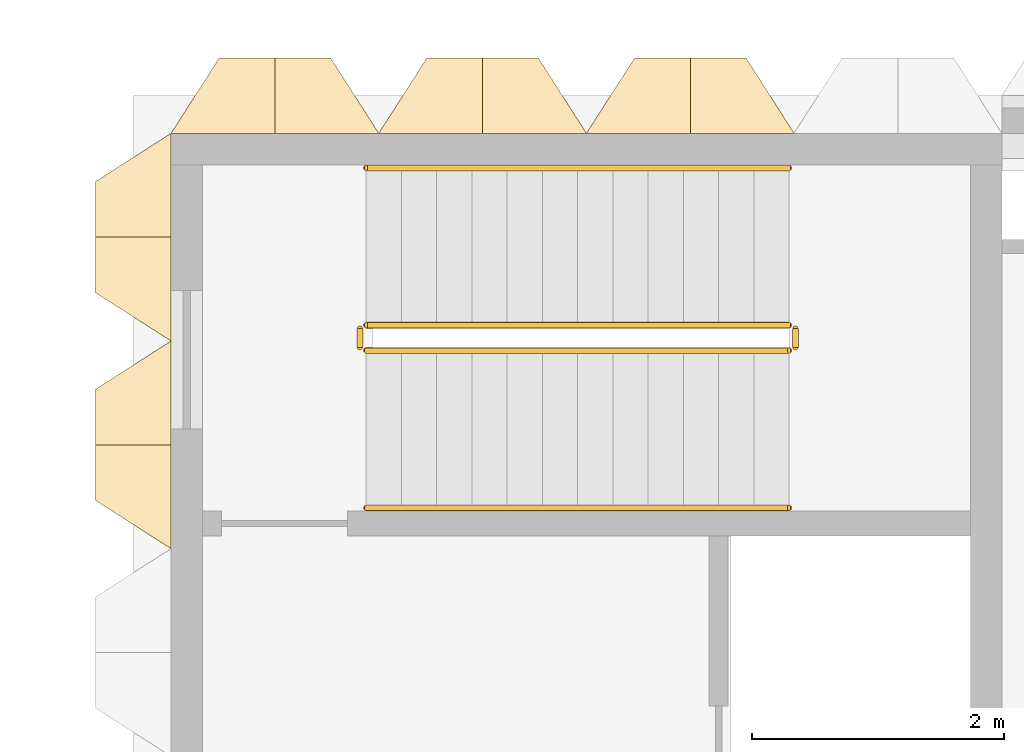
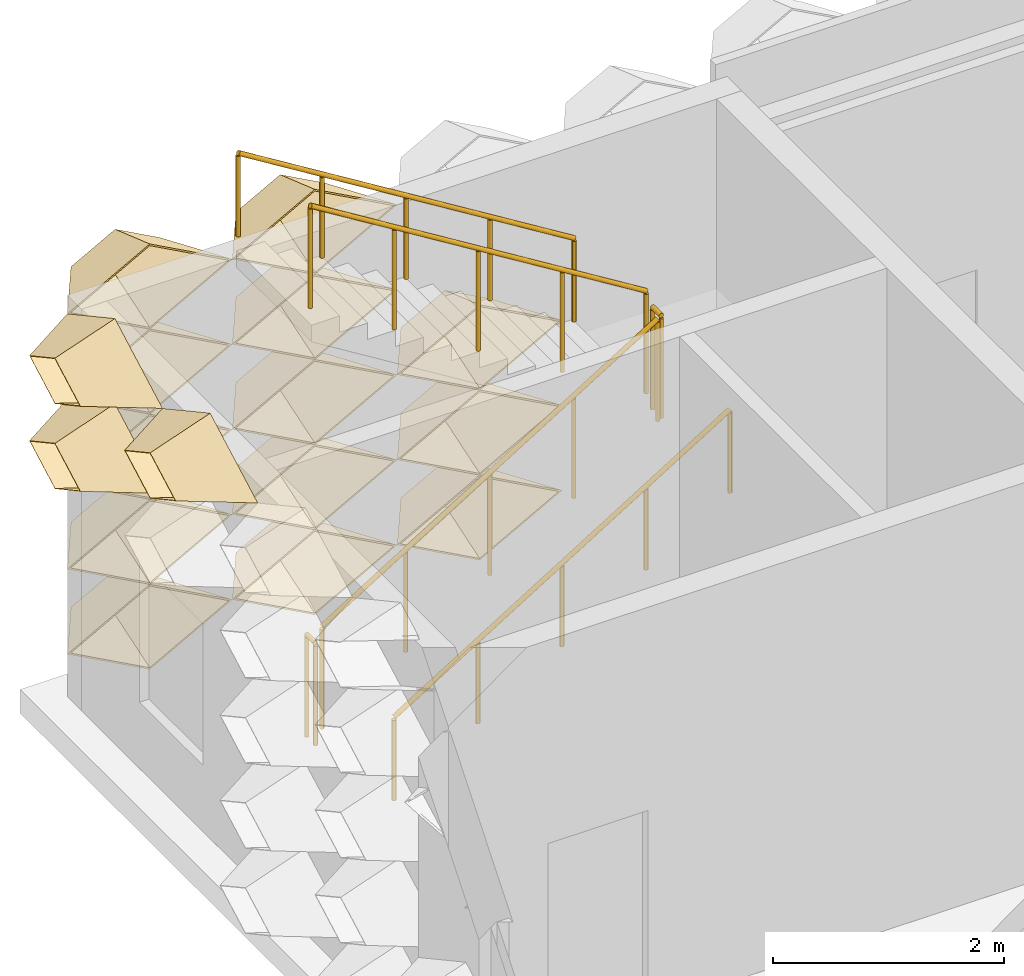
# One storey, part 90 of 109: 16 coverings, 6 railings.
"""IFC4 building model written with IfcOpenShell, lengths in metres."""

from ifc_helpers import new_model, entity, si_unit, direction, frame, origin, origin_2d, place, context, subcontext, project, spatial, circle, extrude, material, layer, layer_set, type_object, element, save


model = new_model("IFC4")

# Units and contexts
model_context = context("Model", 3, precision=1e-05, world=origin(), true_north=direction((0.0, 1.0)))
body_context = subcontext(model_context, "Body", "Model", "MODEL_VIEW")
ifc_project = project(units=[si_unit("LENGTHUNIT", "METRE"), si_unit("AREAUNIT", "SQUARE_METRE"), si_unit("VOLUMEUNIT", "CUBIC_METRE"), si_unit("PLANEANGLEUNIT", "RADIAN"), si_unit("MASSUNIT", "GRAM", prefix="KILO")], contexts=[model_context])

# Site, building, storey
site_placement = place(None, origin())
site = spatial("IfcSite", under=ifc_project, at=site_placement, CompositionType="ELEMENT")
building_placement = place(site_placement, origin())
building = spatial("IfcBuilding", under=site, at=building_placement, Name="Lantern Court Research Institute", CompositionType="ELEMENT")
storey_placement = place(building_placement, frame((0.0, 0.0, 14.39990234375)))
storey = spatial("IfcBuildingStorey", under=building, at=storey_placement, Name="L03", CompositionType="ELEMENT", Elevation=14.39990234375)

# Coverings
ifc_material_1 = material(Name="Anodised aluminium", Category="aluminium")
ifc_layer = layer(ifc_material_1, 0.01611328125)
ifc_layer_set = layer_set([ifc_layer], Name="Anodised aluminium")
covering_type = type_object("IfcCoveringType", Name="Fin cassette 1650 x 900 x 600 aluminium", PredefinedType="CLADDING", material=ifc_layer_set)
covering_1_placement = place(storey_placement, frame((0.824951171875, 99.0, 0.4501953125), z_axis=(0.0, 1.0, 0.0), x_axis=(-1.0, 0.0, 0.0)))
cartesian_point_1 = entity("IfcCartesianPoint", [0.824951171875, 0.0])
cartesian_point_2 = entity("IfcCartesianPoint", [0.79150390625, 0.0])
cartesian_point_3 = entity("IfcCartesianPoint", [0.44189453125, 0.0])
cartesian_point_4 = entity("IfcCartesianPoint", [0.43359375, 0.0])
element("IfcCovering", 1, at=covering_1_placement, inside=storey, type_object=covering_type, Name="Fin cassette V6N-L03 1.1", PredefinedType="CLADDING", context=body_context, shape_type="SweptSolid", body=[
    entity("IfcExtrudedAreaSolidTapered", entity("IfcArbitraryProfileDefWithVoids", "AREA", None, entity("IfcPolyline", [cartesian_point_1, entity("IfcCartesianPoint", [0.0, 0.449951171875]), entity("IfcCartesianPoint", [-0.824951171875, 0.0]), entity("IfcCartesianPoint", [0.0, -0.449951171875]), cartesian_point_1]), [entity("IfcPolyline", [cartesian_point_2, entity("IfcCartesianPoint", [0.0, 0.431884765625]), entity("IfcCartesianPoint", [-0.79150390625, 0.0]), entity("IfcCartesianPoint", [0.0, -0.431884765625]), cartesian_point_2])]), entity("IfcAxis2Placement3D", entity("IfcCartesianPoint", [0.0, 0.0, 0.0])), entity("IfcDirection", [0.0, 0.0, 1.0]), 0.60009765625, entity("IfcArbitraryProfileDefWithVoids", "AREA", None, entity("IfcPolyline", [cartesian_point_3, entity("IfcCartesianPoint", [0.0, 0.240966796875]), entity("IfcCartesianPoint", [-0.44189453125, 0.0]), entity("IfcCartesianPoint", [0.0, -0.240966796875]), cartesian_point_3]), [entity("IfcPolyline", [cartesian_point_4, entity("IfcCartesianPoint", [0.0, 0.236572265625]), entity("IfcCartesianPoint", [-0.43359375, 0.0]), entity("IfcCartesianPoint", [0.0, -0.236572265625]), cartesian_point_4])])),
])
covering_2_placement = place(storey_placement, frame((2.47509765625, 99.0, 0.4501953125), z_axis=(0.0, 1.0, 0.0), x_axis=(-1.0, 0.0, 0.0)))
cartesian_point_5 = entity("IfcCartesianPoint", [0.824951171875, 0.0])
cartesian_point_6 = entity("IfcCartesianPoint", [0.79150390625, 0.0])
cartesian_point_7 = entity("IfcCartesianPoint", [0.44189453125, 0.0])
cartesian_point_8 = entity("IfcCartesianPoint", [0.43359375, 0.0])
element("IfcCovering", 2, at=covering_2_placement, inside=storey, type_object=covering_type, Name="Fin cassette V6N-L03 1.2", PredefinedType="CLADDING", context=body_context, shape_type="SweptSolid", body=[
    entity("IfcExtrudedAreaSolidTapered", entity("IfcArbitraryProfileDefWithVoids", "AREA", None, entity("IfcPolyline", [cartesian_point_5, entity("IfcCartesianPoint", [0.0, 0.449951171875]), entity("IfcCartesianPoint", [-0.824951171875, 0.0]), entity("IfcCartesianPoint", [0.0, -0.449951171875]), cartesian_point_5]), [entity("IfcPolyline", [cartesian_point_6, entity("IfcCartesianPoint", [0.0, 0.431884765625]), entity("IfcCartesianPoint", [-0.79150390625, 0.0]), entity("IfcCartesianPoint", [0.0, -0.431884765625]), cartesian_point_6])]), entity("IfcAxis2Placement3D", entity("IfcCartesianPoint", [0.0, 0.0, 0.0])), entity("IfcDirection", [0.0, 0.0, 1.0]), 0.60009765625, entity("IfcArbitraryProfileDefWithVoids", "AREA", None, entity("IfcPolyline", [cartesian_point_7, entity("IfcCartesianPoint", [0.0, 0.240966796875]), entity("IfcCartesianPoint", [-0.44189453125, 0.0]), entity("IfcCartesianPoint", [0.0, -0.240966796875]), cartesian_point_7]), [entity("IfcPolyline", [cartesian_point_8, entity("IfcCartesianPoint", [0.0, 0.236572265625]), entity("IfcCartesianPoint", [-0.43359375, 0.0]), entity("IfcCartesianPoint", [0.0, -0.236572265625]), cartesian_point_8])])),
])
covering_3_placement = place(storey_placement, frame((4.125, 99.0, 0.4501953125), z_axis=(0.0, 1.0, 0.0), x_axis=(-1.0, 0.0, 0.0)))
cartesian_point_9 = entity("IfcCartesianPoint", [0.824951171875, 0.0])
cartesian_point_10 = entity("IfcCartesianPoint", [0.79150390625, 0.0])
cartesian_point_11 = entity("IfcCartesianPoint", [0.44189453125, 0.0])
cartesian_point_12 = entity("IfcCartesianPoint", [0.43359375, 0.0])
element("IfcCovering", 3, at=covering_3_placement, inside=storey, type_object=covering_type, Name="Fin cassette V6N-L03 1.3", PredefinedType="CLADDING", context=body_context, shape_type="SweptSolid", body=[
    entity("IfcExtrudedAreaSolidTapered", entity("IfcArbitraryProfileDefWithVoids", "AREA", None, entity("IfcPolyline", [cartesian_point_9, entity("IfcCartesianPoint", [0.0, 0.449951171875]), entity("IfcCartesianPoint", [-0.824951171875, 0.0]), entity("IfcCartesianPoint", [0.0, -0.449951171875]), cartesian_point_9]), [entity("IfcPolyline", [cartesian_point_10, entity("IfcCartesianPoint", [0.0, 0.431884765625]), entity("IfcCartesianPoint", [-0.79150390625, 0.0]), entity("IfcCartesianPoint", [0.0, -0.431884765625]), cartesian_point_10])]), entity("IfcAxis2Placement3D", entity("IfcCartesianPoint", [0.0, 0.0, 0.0])), entity("IfcDirection", [0.0, 0.0, 1.0]), 0.60009765625, entity("IfcArbitraryProfileDefWithVoids", "AREA", None, entity("IfcPolyline", [cartesian_point_11, entity("IfcCartesianPoint", [0.0, 0.240966796875]), entity("IfcCartesianPoint", [-0.44189453125, 0.0]), entity("IfcCartesianPoint", [0.0, -0.240966796875]), cartesian_point_11]), [entity("IfcPolyline", [cartesian_point_12, entity("IfcCartesianPoint", [0.0, 0.236572265625]), entity("IfcCartesianPoint", [-0.43359375, 0.0]), entity("IfcCartesianPoint", [0.0, -0.236572265625]), cartesian_point_12])])),
])
covering_4_placement = place(storey_placement, frame((0.824951171875, 99.0, 1.35009765625), z_axis=(0.0, 1.0, 0.0), x_axis=(-1.0, 0.0, 0.0)))
cartesian_point_13 = entity("IfcCartesianPoint", [0.824951171875, 0.0])
cartesian_point_14 = entity("IfcCartesianPoint", [0.79150390625, 0.0])
cartesian_point_15 = entity("IfcCartesianPoint", [0.44189453125, 0.0])
cartesian_point_16 = entity("IfcCartesianPoint", [0.43359375, 0.0])
element("IfcCovering", 4, at=covering_4_placement, inside=storey, type_object=covering_type, Name="Fin cassette V6N-L03 2.1", PredefinedType="CLADDING", context=body_context, shape_type="SweptSolid", body=[
    entity("IfcExtrudedAreaSolidTapered", entity("IfcArbitraryProfileDefWithVoids", "AREA", None, entity("IfcPolyline", [cartesian_point_13, entity("IfcCartesianPoint", [0.0, 0.449951171875]), entity("IfcCartesianPoint", [-0.824951171875, 0.0]), entity("IfcCartesianPoint", [0.0, -0.449951171875]), cartesian_point_13]), [entity("IfcPolyline", [cartesian_point_14, entity("IfcCartesianPoint", [0.0, 0.431884765625]), entity("IfcCartesianPoint", [-0.79150390625, 0.0]), entity("IfcCartesianPoint", [0.0, -0.431884765625]), cartesian_point_14])]), entity("IfcAxis2Placement3D", entity("IfcCartesianPoint", [0.0, 0.0, 0.0])), entity("IfcDirection", [0.0, 0.0, 1.0]), 0.60009765625, entity("IfcArbitraryProfileDefWithVoids", "AREA", None, entity("IfcPolyline", [cartesian_point_15, entity("IfcCartesianPoint", [0.0, 0.240966796875]), entity("IfcCartesianPoint", [-0.44189453125, 0.0]), entity("IfcCartesianPoint", [0.0, -0.240966796875]), cartesian_point_15]), [entity("IfcPolyline", [cartesian_point_16, entity("IfcCartesianPoint", [0.0, 0.236572265625]), entity("IfcCartesianPoint", [-0.43359375, 0.0]), entity("IfcCartesianPoint", [0.0, -0.236572265625]), cartesian_point_16])])),
])
covering_5_placement = place(storey_placement, frame((2.47509765625, 99.0, 1.35009765625), z_axis=(0.0, 1.0, 0.0), x_axis=(-1.0, 0.0, 0.0)))
cartesian_point_17 = entity("IfcCartesianPoint", [0.824951171875, 0.0])
cartesian_point_18 = entity("IfcCartesianPoint", [0.79150390625, 0.0])
cartesian_point_19 = entity("IfcCartesianPoint", [0.44189453125, 0.0])
cartesian_point_20 = entity("IfcCartesianPoint", [0.43359375, 0.0])
element("IfcCovering", 5, at=covering_5_placement, inside=storey, type_object=covering_type, Name="Fin cassette V6N-L03 2.2", PredefinedType="CLADDING", context=body_context, shape_type="SweptSolid", body=[
    entity("IfcExtrudedAreaSolidTapered", entity("IfcArbitraryProfileDefWithVoids", "AREA", None, entity("IfcPolyline", [cartesian_point_17, entity("IfcCartesianPoint", [0.0, 0.449951171875]), entity("IfcCartesianPoint", [-0.824951171875, 0.0]), entity("IfcCartesianPoint", [0.0, -0.449951171875]), cartesian_point_17]), [entity("IfcPolyline", [cartesian_point_18, entity("IfcCartesianPoint", [0.0, 0.431884765625]), entity("IfcCartesianPoint", [-0.79150390625, 0.0]), entity("IfcCartesianPoint", [0.0, -0.431884765625]), cartesian_point_18])]), entity("IfcAxis2Placement3D", entity("IfcCartesianPoint", [0.0, 0.0, 0.0])), entity("IfcDirection", [0.0, 0.0, 1.0]), 0.60009765625, entity("IfcArbitraryProfileDefWithVoids", "AREA", None, entity("IfcPolyline", [cartesian_point_19, entity("IfcCartesianPoint", [0.0, 0.240966796875]), entity("IfcCartesianPoint", [-0.44189453125, 0.0]), entity("IfcCartesianPoint", [0.0, -0.240966796875]), cartesian_point_19]), [entity("IfcPolyline", [cartesian_point_20, entity("IfcCartesianPoint", [0.0, 0.236572265625]), entity("IfcCartesianPoint", [-0.43359375, 0.0]), entity("IfcCartesianPoint", [0.0, -0.236572265625]), cartesian_point_20])])),
])
covering_6_placement = place(storey_placement, frame((4.125, 99.0, 1.35009765625), z_axis=(0.0, 1.0, 0.0), x_axis=(-1.0, 0.0, 0.0)))
cartesian_point_21 = entity("IfcCartesianPoint", [0.824951171875, 0.0])
cartesian_point_22 = entity("IfcCartesianPoint", [0.79150390625, 0.0])
cartesian_point_23 = entity("IfcCartesianPoint", [0.44189453125, 0.0])
cartesian_point_24 = entity("IfcCartesianPoint", [0.43359375, 0.0])
element("IfcCovering", 6, at=covering_6_placement, inside=storey, type_object=covering_type, Name="Fin cassette V6N-L03 2.3", PredefinedType="CLADDING", context=body_context, shape_type="SweptSolid", body=[
    entity("IfcExtrudedAreaSolidTapered", entity("IfcArbitraryProfileDefWithVoids", "AREA", None, entity("IfcPolyline", [cartesian_point_21, entity("IfcCartesianPoint", [0.0, 0.449951171875]), entity("IfcCartesianPoint", [-0.824951171875, 0.0]), entity("IfcCartesianPoint", [0.0, -0.449951171875]), cartesian_point_21]), [entity("IfcPolyline", [cartesian_point_22, entity("IfcCartesianPoint", [0.0, 0.431884765625]), entity("IfcCartesianPoint", [-0.79150390625, 0.0]), entity("IfcCartesianPoint", [0.0, -0.431884765625]), cartesian_point_22])]), entity("IfcAxis2Placement3D", entity("IfcCartesianPoint", [0.0, 0.0, 0.0])), entity("IfcDirection", [0.0, 0.0, 1.0]), 0.60009765625, entity("IfcArbitraryProfileDefWithVoids", "AREA", None, entity("IfcPolyline", [cartesian_point_23, entity("IfcCartesianPoint", [0.0, 0.240966796875]), entity("IfcCartesianPoint", [-0.44189453125, 0.0]), entity("IfcCartesianPoint", [0.0, -0.240966796875]), cartesian_point_23]), [entity("IfcPolyline", [cartesian_point_24, entity("IfcCartesianPoint", [0.0, 0.236572265625]), entity("IfcCartesianPoint", [-0.43359375, 0.0]), entity("IfcCartesianPoint", [0.0, -0.236572265625]), cartesian_point_24])])),
])
covering_7_placement = place(storey_placement, frame((0.824951171875, 99.0, 2.25), z_axis=(0.0, 1.0, 0.0), x_axis=(-1.0, 0.0, 0.0)))
cartesian_point_25 = entity("IfcCartesianPoint", [0.824951171875, 0.0])
cartesian_point_26 = entity("IfcCartesianPoint", [0.79150390625, 0.0])
cartesian_point_27 = entity("IfcCartesianPoint", [0.44189453125, 0.0])
cartesian_point_28 = entity("IfcCartesianPoint", [0.43359375, 0.0])
element("IfcCovering", 7, at=covering_7_placement, inside=storey, type_object=covering_type, Name="Fin cassette V6N-L03 3.1", PredefinedType="CLADDING", context=body_context, shape_type="SweptSolid", body=[
    entity("IfcExtrudedAreaSolidTapered", entity("IfcArbitraryProfileDefWithVoids", "AREA", None, entity("IfcPolyline", [cartesian_point_25, entity("IfcCartesianPoint", [0.0, 0.449951171875]), entity("IfcCartesianPoint", [-0.824951171875, 0.0]), entity("IfcCartesianPoint", [0.0, -0.449951171875]), cartesian_point_25]), [entity("IfcPolyline", [cartesian_point_26, entity("IfcCartesianPoint", [0.0, 0.431884765625]), entity("IfcCartesianPoint", [-0.79150390625, 0.0]), entity("IfcCartesianPoint", [0.0, -0.431884765625]), cartesian_point_26])]), entity("IfcAxis2Placement3D", entity("IfcCartesianPoint", [0.0, 0.0, 0.0])), entity("IfcDirection", [0.0, 0.0, 1.0]), 0.60009765625, entity("IfcArbitraryProfileDefWithVoids", "AREA", None, entity("IfcPolyline", [cartesian_point_27, entity("IfcCartesianPoint", [0.0, 0.240966796875]), entity("IfcCartesianPoint", [-0.44189453125, 0.0]), entity("IfcCartesianPoint", [0.0, -0.240966796875]), cartesian_point_27]), [entity("IfcPolyline", [cartesian_point_28, entity("IfcCartesianPoint", [0.0, 0.236572265625]), entity("IfcCartesianPoint", [-0.43359375, 0.0]), entity("IfcCartesianPoint", [0.0, -0.236572265625]), cartesian_point_28])])),
])
covering_8_placement = place(storey_placement, frame((2.47509765625, 99.0, 2.25), z_axis=(0.0, 1.0, 0.0), x_axis=(-1.0, 0.0, 0.0)))
cartesian_point_29 = entity("IfcCartesianPoint", [0.824951171875, 0.0])
cartesian_point_30 = entity("IfcCartesianPoint", [0.79150390625, 0.0])
cartesian_point_31 = entity("IfcCartesianPoint", [0.44189453125, 0.0])
cartesian_point_32 = entity("IfcCartesianPoint", [0.43359375, 0.0])
element("IfcCovering", 8, at=covering_8_placement, inside=storey, type_object=covering_type, Name="Fin cassette V6N-L03 3.2", PredefinedType="CLADDING", context=body_context, shape_type="SweptSolid", body=[
    entity("IfcExtrudedAreaSolidTapered", entity("IfcArbitraryProfileDefWithVoids", "AREA", None, entity("IfcPolyline", [cartesian_point_29, entity("IfcCartesianPoint", [0.0, 0.449951171875]), entity("IfcCartesianPoint", [-0.824951171875, 0.0]), entity("IfcCartesianPoint", [0.0, -0.449951171875]), cartesian_point_29]), [entity("IfcPolyline", [cartesian_point_30, entity("IfcCartesianPoint", [0.0, 0.431884765625]), entity("IfcCartesianPoint", [-0.79150390625, 0.0]), entity("IfcCartesianPoint", [0.0, -0.431884765625]), cartesian_point_30])]), entity("IfcAxis2Placement3D", entity("IfcCartesianPoint", [0.0, 0.0, 0.0])), entity("IfcDirection", [0.0, 0.0, 1.0]), 0.60009765625, entity("IfcArbitraryProfileDefWithVoids", "AREA", None, entity("IfcPolyline", [cartesian_point_31, entity("IfcCartesianPoint", [0.0, 0.240966796875]), entity("IfcCartesianPoint", [-0.44189453125, 0.0]), entity("IfcCartesianPoint", [0.0, -0.240966796875]), cartesian_point_31]), [entity("IfcPolyline", [cartesian_point_32, entity("IfcCartesianPoint", [0.0, 0.236572265625]), entity("IfcCartesianPoint", [-0.43359375, 0.0]), entity("IfcCartesianPoint", [0.0, -0.236572265625]), cartesian_point_32])])),
])
covering_9_placement = place(storey_placement, frame((4.125, 99.0, 2.25), z_axis=(0.0, 1.0, 0.0), x_axis=(-1.0, 0.0, 0.0)))
cartesian_point_33 = entity("IfcCartesianPoint", [0.824951171875, 0.0])
cartesian_point_34 = entity("IfcCartesianPoint", [0.79150390625, 0.0])
cartesian_point_35 = entity("IfcCartesianPoint", [0.44189453125, 0.0])
cartesian_point_36 = entity("IfcCartesianPoint", [0.43359375, 0.0])
element("IfcCovering", 9, at=covering_9_placement, inside=storey, type_object=covering_type, Name="Fin cassette V6N-L03 3.3", PredefinedType="CLADDING", context=body_context, shape_type="SweptSolid", body=[
    entity("IfcExtrudedAreaSolidTapered", entity("IfcArbitraryProfileDefWithVoids", "AREA", None, entity("IfcPolyline", [cartesian_point_33, entity("IfcCartesianPoint", [0.0, 0.449951171875]), entity("IfcCartesianPoint", [-0.824951171875, 0.0]), entity("IfcCartesianPoint", [0.0, -0.449951171875]), cartesian_point_33]), [entity("IfcPolyline", [cartesian_point_34, entity("IfcCartesianPoint", [0.0, 0.431884765625]), entity("IfcCartesianPoint", [-0.79150390625, 0.0]), entity("IfcCartesianPoint", [0.0, -0.431884765625]), cartesian_point_34])]), entity("IfcAxis2Placement3D", entity("IfcCartesianPoint", [0.0, 0.0, 0.0])), entity("IfcDirection", [0.0, 0.0, 1.0]), 0.60009765625, entity("IfcArbitraryProfileDefWithVoids", "AREA", None, entity("IfcPolyline", [cartesian_point_35, entity("IfcCartesianPoint", [0.0, 0.240966796875]), entity("IfcCartesianPoint", [-0.44189453125, 0.0]), entity("IfcCartesianPoint", [0.0, -0.240966796875]), cartesian_point_35]), [entity("IfcPolyline", [cartesian_point_36, entity("IfcCartesianPoint", [0.0, 0.236572265625]), entity("IfcCartesianPoint", [-0.43359375, 0.0]), entity("IfcCartesianPoint", [0.0, -0.236572265625]), cartesian_point_36])])),
])
covering_10_placement = place(storey_placement, frame((0.824951171875, 99.0, 3.150146484375), z_axis=(0.0, 1.0, 0.0), x_axis=(-1.0, 0.0, 0.0)))
cartesian_point_37 = entity("IfcCartesianPoint", [0.824951171875, 0.0])
cartesian_point_38 = entity("IfcCartesianPoint", [0.79150390625, 0.0])
cartesian_point_39 = entity("IfcCartesianPoint", [0.44189453125, 0.0])
cartesian_point_40 = entity("IfcCartesianPoint", [0.43359375, 0.0])
element("IfcCovering", 10, at=covering_10_placement, inside=storey, type_object=covering_type, Name="Fin cassette V6N-L03 4.1", PredefinedType="CLADDING", context=body_context, shape_type="SweptSolid", body=[
    entity("IfcExtrudedAreaSolidTapered", entity("IfcArbitraryProfileDefWithVoids", "AREA", None, entity("IfcPolyline", [cartesian_point_37, entity("IfcCartesianPoint", [0.0, 0.449951171875]), entity("IfcCartesianPoint", [-0.824951171875, 0.0]), entity("IfcCartesianPoint", [0.0, -0.449951171875]), cartesian_point_37]), [entity("IfcPolyline", [cartesian_point_38, entity("IfcCartesianPoint", [0.0, 0.431884765625]), entity("IfcCartesianPoint", [-0.79150390625, 0.0]), entity("IfcCartesianPoint", [0.0, -0.431884765625]), cartesian_point_38])]), entity("IfcAxis2Placement3D", entity("IfcCartesianPoint", [0.0, 0.0, 0.0])), entity("IfcDirection", [0.0, 0.0, 1.0]), 0.60009765625, entity("IfcArbitraryProfileDefWithVoids", "AREA", None, entity("IfcPolyline", [cartesian_point_39, entity("IfcCartesianPoint", [0.0, 0.240966796875]), entity("IfcCartesianPoint", [-0.44189453125, 0.0]), entity("IfcCartesianPoint", [0.0, -0.240966796875]), cartesian_point_39]), [entity("IfcPolyline", [cartesian_point_40, entity("IfcCartesianPoint", [0.0, 0.236572265625]), entity("IfcCartesianPoint", [-0.43359375, 0.0]), entity("IfcCartesianPoint", [0.0, -0.236572265625]), cartesian_point_40])])),
])
covering_11_placement = place(storey_placement, frame((2.47509765625, 99.0, 3.150146484375), z_axis=(0.0, 1.0, 0.0), x_axis=(-1.0, 0.0, 0.0)))
cartesian_point_41 = entity("IfcCartesianPoint", [0.824951171875, 0.0])
cartesian_point_42 = entity("IfcCartesianPoint", [0.79150390625, 0.0])
cartesian_point_43 = entity("IfcCartesianPoint", [0.44189453125, 0.0])
cartesian_point_44 = entity("IfcCartesianPoint", [0.43359375, 0.0])
element("IfcCovering", 11, at=covering_11_placement, inside=storey, type_object=covering_type, Name="Fin cassette V6N-L03 4.2", PredefinedType="CLADDING", context=body_context, shape_type="SweptSolid", body=[
    entity("IfcExtrudedAreaSolidTapered", entity("IfcArbitraryProfileDefWithVoids", "AREA", None, entity("IfcPolyline", [cartesian_point_41, entity("IfcCartesianPoint", [0.0, 0.449951171875]), entity("IfcCartesianPoint", [-0.824951171875, 0.0]), entity("IfcCartesianPoint", [0.0, -0.449951171875]), cartesian_point_41]), [entity("IfcPolyline", [cartesian_point_42, entity("IfcCartesianPoint", [0.0, 0.431884765625]), entity("IfcCartesianPoint", [-0.79150390625, 0.0]), entity("IfcCartesianPoint", [0.0, -0.431884765625]), cartesian_point_42])]), entity("IfcAxis2Placement3D", entity("IfcCartesianPoint", [0.0, 0.0, 0.0])), entity("IfcDirection", [0.0, 0.0, 1.0]), 0.60009765625, entity("IfcArbitraryProfileDefWithVoids", "AREA", None, entity("IfcPolyline", [cartesian_point_43, entity("IfcCartesianPoint", [0.0, 0.240966796875]), entity("IfcCartesianPoint", [-0.44189453125, 0.0]), entity("IfcCartesianPoint", [0.0, -0.240966796875]), cartesian_point_43]), [entity("IfcPolyline", [cartesian_point_44, entity("IfcCartesianPoint", [0.0, 0.236572265625]), entity("IfcCartesianPoint", [-0.43359375, 0.0]), entity("IfcCartesianPoint", [0.0, -0.236572265625]), cartesian_point_44])])),
])
covering_12_placement = place(storey_placement, frame((0.824951171875, 99.0, 4.050048828125), z_axis=(0.0, 1.0, 0.0), x_axis=(-1.0, 0.0, 0.0)))
cartesian_point_45 = entity("IfcCartesianPoint", [0.824951171875, 0.0])
cartesian_point_46 = entity("IfcCartesianPoint", [0.79150390625, 0.0])
cartesian_point_47 = entity("IfcCartesianPoint", [0.44189453125, 0.0])
cartesian_point_48 = entity("IfcCartesianPoint", [0.43359375, 0.0])
element("IfcCovering", 12, at=covering_12_placement, inside=storey, type_object=covering_type, Name="Fin cassette V6N-L03 5.1", PredefinedType="CLADDING", context=body_context, shape_type="SweptSolid", body=[
    entity("IfcExtrudedAreaSolidTapered", entity("IfcArbitraryProfileDefWithVoids", "AREA", None, entity("IfcPolyline", [cartesian_point_45, entity("IfcCartesianPoint", [0.0, 0.449951171875]), entity("IfcCartesianPoint", [-0.824951171875, 0.0]), entity("IfcCartesianPoint", [0.0, -0.449951171875]), cartesian_point_45]), [entity("IfcPolyline", [cartesian_point_46, entity("IfcCartesianPoint", [0.0, 0.431884765625]), entity("IfcCartesianPoint", [-0.79150390625, 0.0]), entity("IfcCartesianPoint", [0.0, -0.431884765625]), cartesian_point_46])]), entity("IfcAxis2Placement3D", entity("IfcCartesianPoint", [0.0, 0.0, 0.0])), entity("IfcDirection", [0.0, 0.0, 1.0]), 0.60009765625, entity("IfcArbitraryProfileDefWithVoids", "AREA", None, entity("IfcPolyline", [cartesian_point_47, entity("IfcCartesianPoint", [0.0, 0.240966796875]), entity("IfcCartesianPoint", [-0.44189453125, 0.0]), entity("IfcCartesianPoint", [0.0, -0.240966796875]), cartesian_point_47]), [entity("IfcPolyline", [cartesian_point_48, entity("IfcCartesianPoint", [0.0, 0.236572265625]), entity("IfcCartesianPoint", [-0.43359375, 0.0]), entity("IfcCartesianPoint", [0.0, -0.236572265625]), cartesian_point_48])])),
])
covering_13_placement = place(storey_placement, frame((2.47509765625, 99.0, 4.050048828125), z_axis=(0.0, 1.0, 0.0), x_axis=(-1.0, 0.0, 0.0)))
cartesian_point_49 = entity("IfcCartesianPoint", [0.824951171875, 0.0])
cartesian_point_50 = entity("IfcCartesianPoint", [0.79150390625, 0.0])
cartesian_point_51 = entity("IfcCartesianPoint", [0.44189453125, 0.0])
cartesian_point_52 = entity("IfcCartesianPoint", [0.43359375, 0.0])
element("IfcCovering", 13, at=covering_13_placement, inside=storey, type_object=covering_type, Name="Fin cassette V6N-L03 5.2", PredefinedType="CLADDING", context=body_context, shape_type="SweptSolid", body=[
    entity("IfcExtrudedAreaSolidTapered", entity("IfcArbitraryProfileDefWithVoids", "AREA", None, entity("IfcPolyline", [cartesian_point_49, entity("IfcCartesianPoint", [0.0, 0.449951171875]), entity("IfcCartesianPoint", [-0.824951171875, 0.0]), entity("IfcCartesianPoint", [0.0, -0.449951171875]), cartesian_point_49]), [entity("IfcPolyline", [cartesian_point_50, entity("IfcCartesianPoint", [0.0, 0.431884765625]), entity("IfcCartesianPoint", [-0.79150390625, 0.0]), entity("IfcCartesianPoint", [0.0, -0.431884765625]), cartesian_point_50])]), entity("IfcAxis2Placement3D", entity("IfcCartesianPoint", [0.0, 0.0, 0.0])), entity("IfcDirection", [0.0, 0.0, 1.0]), 0.60009765625, entity("IfcArbitraryProfileDefWithVoids", "AREA", None, entity("IfcPolyline", [cartesian_point_51, entity("IfcCartesianPoint", [0.0, 0.240966796875]), entity("IfcCartesianPoint", [-0.44189453125, 0.0]), entity("IfcCartesianPoint", [0.0, -0.240966796875]), cartesian_point_51]), [entity("IfcPolyline", [cartesian_point_52, entity("IfcCartesianPoint", [0.0, 0.236572265625]), entity("IfcCartesianPoint", [-0.43359375, 0.0]), entity("IfcCartesianPoint", [0.0, -0.236572265625]), cartesian_point_52])])),
])
covering_14_placement = place(storey_placement, frame((0.0, 98.175048828125, 3.150146484375), z_axis=(-1.0, 0.0, 0.0), x_axis=(0.0, -1.0, 0.0)))
cartesian_point_53 = entity("IfcCartesianPoint", [0.824951171875, 0.0])
cartesian_point_54 = entity("IfcCartesianPoint", [0.79150390625, 0.0])
cartesian_point_55 = entity("IfcCartesianPoint", [0.44189453125, 0.0])
cartesian_point_56 = entity("IfcCartesianPoint", [0.43359375, 0.0])
element("IfcCovering", 14, at=covering_14_placement, inside=storey, type_object=covering_type, Name="Fin cassette V6W-L03 4.60", PredefinedType="CLADDING", context=body_context, shape_type="SweptSolid", body=[
    entity("IfcExtrudedAreaSolidTapered", entity("IfcArbitraryProfileDefWithVoids", "AREA", None, entity("IfcPolyline", [cartesian_point_53, entity("IfcCartesianPoint", [0.0, 0.449951171875]), entity("IfcCartesianPoint", [-0.824951171875, 0.0]), entity("IfcCartesianPoint", [0.0, -0.449951171875]), cartesian_point_53]), [entity("IfcPolyline", [cartesian_point_54, entity("IfcCartesianPoint", [0.0, 0.431884765625]), entity("IfcCartesianPoint", [-0.79150390625, 0.0]), entity("IfcCartesianPoint", [0.0, -0.431884765625]), cartesian_point_54])]), entity("IfcAxis2Placement3D", entity("IfcCartesianPoint", [0.0, 0.0, 0.0])), entity("IfcDirection", [0.0, 0.0, 1.0]), 0.60009765625, entity("IfcArbitraryProfileDefWithVoids", "AREA", None, entity("IfcPolyline", [cartesian_point_55, entity("IfcCartesianPoint", [0.0, 0.240966796875]), entity("IfcCartesianPoint", [-0.44189453125, 0.0]), entity("IfcCartesianPoint", [0.0, -0.240966796875]), cartesian_point_55]), [entity("IfcPolyline", [cartesian_point_56, entity("IfcCartesianPoint", [0.0, 0.236572265625]), entity("IfcCartesianPoint", [-0.43359375, 0.0]), entity("IfcCartesianPoint", [0.0, -0.236572265625]), cartesian_point_56])])),
])
covering_15_placement = place(storey_placement, frame((0.0, 96.52490234375, 4.050048828125), z_axis=(-1.0, 0.0, 0.0), x_axis=(0.0, -1.0, 0.0)))
cartesian_point_57 = entity("IfcCartesianPoint", [0.824951171875, 0.0])
cartesian_point_58 = entity("IfcCartesianPoint", [0.79150390625, 0.0])
cartesian_point_59 = entity("IfcCartesianPoint", [0.44189453125, 0.0])
cartesian_point_60 = entity("IfcCartesianPoint", [0.43359375, 0.0])
element("IfcCovering", 15, at=covering_15_placement, inside=storey, type_object=covering_type, Name="Fin cassette V6W-L03 5.59", PredefinedType="CLADDING", context=body_context, shape_type="SweptSolid", body=[
    entity("IfcExtrudedAreaSolidTapered", entity("IfcArbitraryProfileDefWithVoids", "AREA", None, entity("IfcPolyline", [cartesian_point_57, entity("IfcCartesianPoint", [0.0, 0.449951171875]), entity("IfcCartesianPoint", [-0.824951171875, 0.0]), entity("IfcCartesianPoint", [0.0, -0.449951171875]), cartesian_point_57]), [entity("IfcPolyline", [cartesian_point_58, entity("IfcCartesianPoint", [0.0, 0.431884765625]), entity("IfcCartesianPoint", [-0.79150390625, 0.0]), entity("IfcCartesianPoint", [0.0, -0.431884765625]), cartesian_point_58])]), entity("IfcAxis2Placement3D", entity("IfcCartesianPoint", [0.0, 0.0, 0.0])), entity("IfcDirection", [0.0, 0.0, 1.0]), 0.60009765625, entity("IfcArbitraryProfileDefWithVoids", "AREA", None, entity("IfcPolyline", [cartesian_point_59, entity("IfcCartesianPoint", [0.0, 0.240966796875]), entity("IfcCartesianPoint", [-0.44189453125, 0.0]), entity("IfcCartesianPoint", [0.0, -0.240966796875]), cartesian_point_59]), [entity("IfcPolyline", [cartesian_point_60, entity("IfcCartesianPoint", [0.0, 0.236572265625]), entity("IfcCartesianPoint", [-0.43359375, 0.0]), entity("IfcCartesianPoint", [0.0, -0.236572265625]), cartesian_point_60])])),
])
covering_16_placement = place(storey_placement, frame((0.0, 98.175048828125, 4.050048828125), z_axis=(-1.0, 0.0, 0.0), x_axis=(0.0, -1.0, 0.0)))
cartesian_point_61 = entity("IfcCartesianPoint", [0.824951171875, 0.0])
cartesian_point_62 = entity("IfcCartesianPoint", [0.79150390625, 0.0])
cartesian_point_63 = entity("IfcCartesianPoint", [0.44189453125, 0.0])
cartesian_point_64 = entity("IfcCartesianPoint", [0.43359375, 0.0])
element("IfcCovering", 16, at=covering_16_placement, inside=storey, type_object=covering_type, Name="Fin cassette V6W-L03 5.60", PredefinedType="CLADDING", context=body_context, shape_type="SweptSolid", body=[
    entity("IfcExtrudedAreaSolidTapered", entity("IfcArbitraryProfileDefWithVoids", "AREA", None, entity("IfcPolyline", [cartesian_point_61, entity("IfcCartesianPoint", [0.0, 0.449951171875]), entity("IfcCartesianPoint", [-0.824951171875, 0.0]), entity("IfcCartesianPoint", [0.0, -0.449951171875]), cartesian_point_61]), [entity("IfcPolyline", [cartesian_point_62, entity("IfcCartesianPoint", [0.0, 0.431884765625]), entity("IfcCartesianPoint", [-0.79150390625, 0.0]), entity("IfcCartesianPoint", [0.0, -0.431884765625]), cartesian_point_62])]), entity("IfcAxis2Placement3D", entity("IfcCartesianPoint", [0.0, 0.0, 0.0])), entity("IfcDirection", [0.0, 0.0, 1.0]), 0.60009765625, entity("IfcArbitraryProfileDefWithVoids", "AREA", None, entity("IfcPolyline", [cartesian_point_63, entity("IfcCartesianPoint", [0.0, 0.240966796875]), entity("IfcCartesianPoint", [-0.44189453125, 0.0]), entity("IfcCartesianPoint", [0.0, -0.240966796875]), cartesian_point_63]), [entity("IfcPolyline", [cartesian_point_64, entity("IfcCartesianPoint", [0.0, 0.236572265625]), entity("IfcCartesianPoint", [-0.43359375, 0.0]), entity("IfcCartesianPoint", [0.0, -0.236572265625]), cartesian_point_64])])),
])

# Railings
ifc_material_2 = material(Name="Structural steel S355", Category="steel")
railing_type_1 = type_object("IfcRailingType", Name="Stair guard 1100 steel", PredefinedType="GUARDRAIL", material=ifc_material_2)
railing_1_placement = place(storey_placement, frame((1.550048828125, 97.27490234375, 0.173095703125)))
element("IfcRailing", 17, at=railing_1_placement, inside=storey, type_object=railing_type_1, Name="L03 ST-W1 stair guard 1", PredefinedType="GUARDRAIL", context=body_context, shape_type="SweptSolid", body=[
    extrude(circle(Radius=0.02392578125, at=origin_2d()), frame((0.0, 0.0, 1.076171875), z_axis=(0.850606129759, 0.0, 0.525803396734), x_axis=(0.0, 1.0, 0.0)), (0.0, 0.0, 1.0), 3.949951171875),
    extrude(circle(Radius=0.02099609375, at=origin_2d()), origin(), (0.0, 0.0, 1.0), 1.052001953125),
    extrude(circle(Radius=0.02099609375, at=origin_2d()), frame((0.83984375, 0.0, 0.519287109375)), (0.0, 0.0, 1.0), 1.052001953125),
    extrude(circle(Radius=0.02099609375, at=origin_2d()), frame((1.679931640625, 0.0, 1.03857421875)), (0.0, 0.0, 1.0), 1.052001953125),
    extrude(circle(Radius=0.02099609375, at=origin_2d()), frame((2.52001953125, 0.0, 1.5576171875)), (0.0, 0.0, 1.0), 1.052001953125),
    extrude(circle(Radius=0.02099609375, at=origin_2d()), frame((3.35986328125, 0.0, 2.076904296875)), (0.0, 0.0, 1.0), 1.052001953125),
])
railing_2_placement = place(storey_placement, frame((4.9599609375, 97.300048828125, 2.25)))
element("IfcRailing", 18, at=railing_2_placement, inside=storey, type_object=railing_type_1, Name="L03 ST-W1 stair guard 2", PredefinedType="GUARDRAIL", context=body_context, shape_type="SweptSolid", body=[
    extrude(circle(Radius=0.02392578125, at=origin_2d()), frame((0.0, 0.0, 1.076171875), z_axis=(0.0, 1.0, 0.0), x_axis=(-1.0, 0.0, 0.0)), (0.0, 0.0, 1.0), 0.14990234375),
    extrude(circle(Radius=0.02099609375, at=origin_2d()), origin(), (0.0, 0.0, 1.0), 1.052001953125),
    extrude(circle(Radius=0.02099609375, at=origin_2d()), frame((0.0, 0.14990234375, 0.0)), (0.0, 0.0, 1.0), 1.052001953125),
])
railing_3_placement = place(storey_placement, frame((4.909912109375, 97.47509765625, 2.423095703125)))
element("IfcRailing", 19, at=railing_3_placement, inside=storey, type_object=railing_type_1, Name="L03 ST-W1 stair guard 3", PredefinedType="GUARDRAIL", context=body_context, shape_type="SweptSolid", body=[
    extrude(circle(Radius=0.02392578125, at=origin_2d()), frame((0.0, 0.0, 1.076171875), z_axis=(-0.850606129759, 0.0, 0.525803396734), x_axis=(0.0, -1.0, 0.0)), (0.0, 0.0, 1.0), 3.949951171875),
    extrude(circle(Radius=0.02099609375, at=origin_2d()), origin(), (0.0, 0.0, 1.0), 1.052001953125),
    extrude(circle(Radius=0.02099609375, at=origin_2d()), frame((-0.83984375, 0.0, 0.519287109375)), (0.0, 0.0, 1.0), 1.052001953125),
    extrude(circle(Radius=0.02099609375, at=origin_2d()), frame((-1.679931640625, 0.0, 1.03857421875)), (0.0, 0.0, 1.0), 1.052001953125),
    extrude(circle(Radius=0.02099609375, at=origin_2d()), frame((-2.52001953125, 0.0, 1.5576171875)), (0.0, 0.0, 1.0), 1.052001953125),
    extrude(circle(Radius=0.02099609375, at=origin_2d()), frame((-3.35986328125, 0.0, 2.076904296875)), (0.0, 0.0, 1.0), 1.052001953125),
])
railing_4_placement = place(storey_placement, frame((1.5, 97.300048828125, 0.0)))
element("IfcRailing", 20, at=railing_4_placement, inside=storey, type_object=railing_type_1, Name="L03 ST-W1 stair guard 4", PredefinedType="GUARDRAIL", context=body_context, shape_type="SweptSolid", body=[
    extrude(circle(Radius=0.02392578125, at=origin_2d()), frame((0.0, 0.0, 1.076171875), z_axis=(0.0, 1.0, 0.0), x_axis=(-1.0, 0.0, 0.0)), (0.0, 0.0, 1.0), 0.14990234375),
    extrude(circle(Radius=0.02099609375, at=origin_2d()), origin(), (0.0, 0.0, 1.0), 1.052001953125),
    extrude(circle(Radius=0.02099609375, at=origin_2d()), frame((0.0, 0.14990234375, 0.0)), (0.0, 0.0, 1.0), 1.052001953125),
])
ifc_material_3 = material(Name="Stainless steel 316", Category="steel")
railing_type_2 = type_object("IfcRailingType", Name="Stair handrail 900 steel", PredefinedType="HANDRAIL", material=ifc_material_3)
railing_5_placement = place(storey_placement, frame((1.550048828125, 96.02490234375, 0.173095703125)))
element("IfcRailing", 21, at=railing_5_placement, inside=storey, type_object=railing_type_2, Name="L03 ST-W1 stair handrail 1", PredefinedType="HANDRAIL", context=body_context, shape_type="SweptSolid", body=[
    extrude(circle(Radius=0.02392578125, at=origin_2d()), frame((0.0, 0.0, 0.8759765625), z_axis=(0.850606129759, 0.0, 0.525803396734), x_axis=(0.0, 1.0, 0.0)), (0.0, 0.0, 1.0), 3.949951171875),
    extrude(circle(Radius=0.02099609375, at=origin_2d()), origin(), (0.0, 0.0, 1.0), 0.851806640625),
    extrude(circle(Radius=0.02099609375, at=origin_2d()), frame((0.83984375, 0.0, 0.519287109375)), (0.0, 0.0, 1.0), 0.851806640625),
    extrude(circle(Radius=0.02099609375, at=origin_2d()), frame((1.679931640625, 0.0, 1.03857421875)), (0.0, 0.0, 1.0), 0.851806640625),
    extrude(circle(Radius=0.02099609375, at=origin_2d()), frame((2.52001953125, 0.0, 1.5576171875)), (0.0, 0.0, 1.0), 0.851806640625),
    extrude(circle(Radius=0.02099609375, at=origin_2d()), frame((3.35986328125, 0.0, 2.076904296875)), (0.0, 0.0, 1.0), 0.851806640625),
])
railing_6_placement = place(storey_placement, frame((4.909912109375, 98.72509765625, 2.423095703125)))
element("IfcRailing", 22, at=railing_6_placement, inside=storey, type_object=railing_type_2, Name="L03 ST-W1 stair handrail 2", PredefinedType="HANDRAIL", context=body_context, shape_type="SweptSolid", body=[
    extrude(circle(Radius=0.02392578125, at=origin_2d()), frame((0.0, 0.0, 0.8759765625), z_axis=(-0.850606129759, 0.0, 0.525803396734), x_axis=(0.0, -1.0, 0.0)), (0.0, 0.0, 1.0), 3.949951171875),
    extrude(circle(Radius=0.02099609375, at=origin_2d()), origin(), (0.0, 0.0, 1.0), 0.851806640625),
    extrude(circle(Radius=0.02099609375, at=origin_2d()), frame((-0.83984375, 0.0, 0.519287109375)), (0.0, 0.0, 1.0), 0.851806640625),
    extrude(circle(Radius=0.02099609375, at=origin_2d()), frame((-1.679931640625, 0.0, 1.03857421875)), (0.0, 0.0, 1.0), 0.851806640625),
    extrude(circle(Radius=0.02099609375, at=origin_2d()), frame((-2.52001953125, 0.0, 1.5576171875)), (0.0, 0.0, 1.0), 0.851806640625),
    extrude(circle(Radius=0.02099609375, at=origin_2d()), frame((-3.35986328125, 0.0, 2.076904296875)), (0.0, 0.0, 1.0), 0.851806640625),
])

save(model, "model.ifc")
